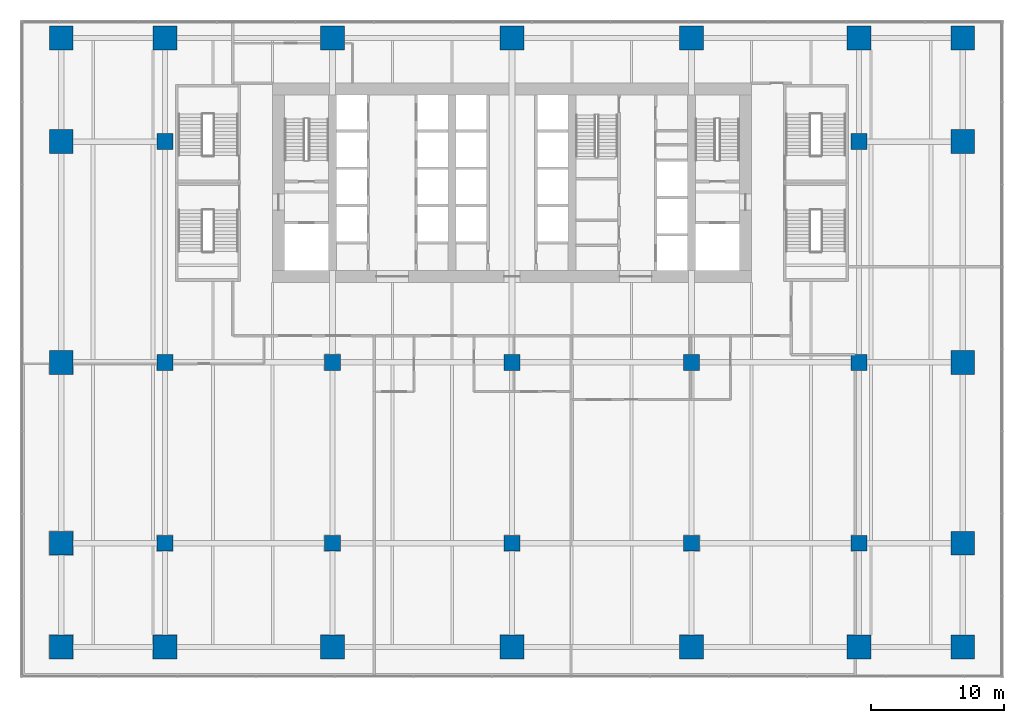
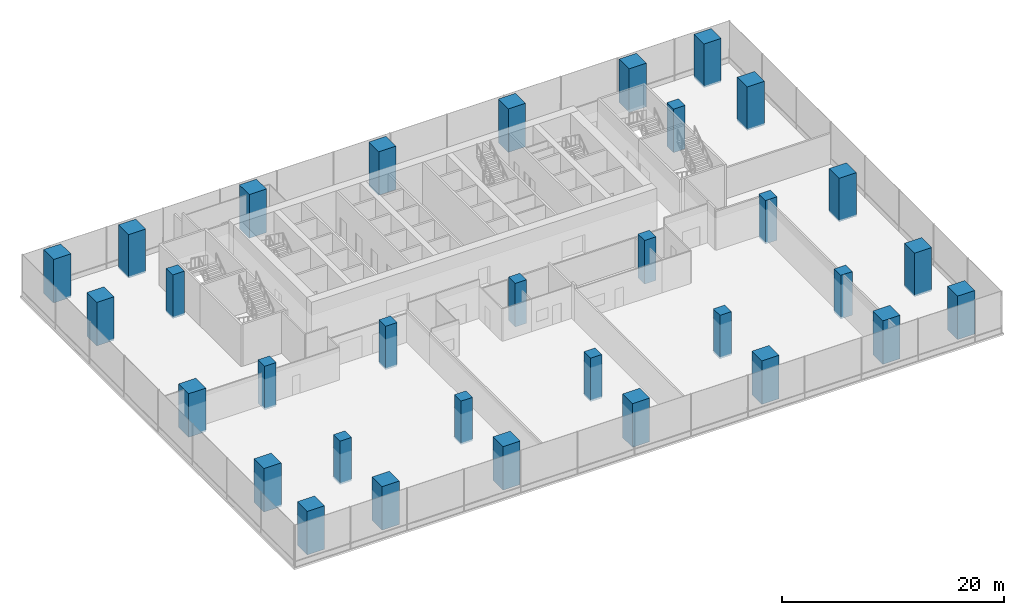
# One storey, part 1 of 28: 32 columns.
"""IFC4 building model written with IfcOpenShell, lengths in metres."""

from ifc_helpers import new_model, si_unit, direction, frame, origin, origin_2d, place, context, subcontext, project, spatial, rectangle, extrude, material, material_profile, profile_set, type_object, element, save


model = new_model("IFC4")

# Units and contexts
model_context = context("Model", 3, precision=1e-05, world=origin(), true_north=direction((0.0, 1.0)))
body_context = subcontext(model_context, "Body", "Model", "MODEL_VIEW")
ifc_project = project(units=[si_unit("LENGTHUNIT", "METRE"), si_unit("AREAUNIT", "SQUARE_METRE"), si_unit("VOLUMEUNIT", "CUBIC_METRE"), si_unit("PLANEANGLEUNIT", "RADIAN"), si_unit("MASSUNIT", "GRAM", prefix="KILO")], contexts=[model_context])

# Site, building, storey
site_placement = place(None, origin())
site = spatial("IfcSite", under=ifc_project, at=site_placement, CompositionType="ELEMENT")
building_placement = place(site_placement, origin())
building = spatial("IfcBuilding", under=site, at=building_placement, Name="Rattan Terrace Tower", CompositionType="ELEMENT")
storey_placement = place(building_placement, frame((0.0, 0.0, 17.39990234375)))
storey = spatial("IfcBuildingStorey", under=building, at=storey_placement, Name="L03", CompositionType="ELEMENT", Elevation=17.39990234375)

# Columns
ifc_material_1 = material(Name="Concrete C60/75", Category="concrete")
ifc_material_profile_1 = material_profile(ifc_material_1, rectangle(XDim=1.800048828125, YDim=1.800048828125, at=origin_2d()), Name="CFT 1800x1800")
ifc_profile_set_1 = profile_set([ifc_material_profile_1], Name="Concrete C60/75")
column_type_1 = type_object("IfcColumnType", Name="Frame exoskeleton column CFT 1800x1800", PredefinedType="COLUMN", material=ifc_profile_set_1)
for number, where, z_axis, x_axis, name in (
    (1, (-33.89990234375, -34.89990234375, -0.199951171875), (0.0, 0.0, 1.0), (1.0, 0.0, 0.0), "exo-L03-001"),
    (2, (33.89990234375, -34.89990234375, -0.199951171875), (0.0, 0.0, 1.0), (1.0, 0.0, 0.0), "exo-L03-002"),
    (3, (-33.89990234375, 10.89990234375, -0.199951171875), (0.0, 0.0, 1.0), (1.0, 0.0, 0.0), "exo-L03-003"),
    (4, (33.89990234375, 10.89990234375, -0.199951171875), (0.0, 0.0, 1.0), (1.0, 0.0, 0.0), "exo-L03-004"),
    (5, (-26.10009765625, -34.89990234375, -0.199951171875), (0.0, 0.0, 1.0), (1.0, 0.0, 0.0), "exo-L03-005"),
    (6, (-13.5, -34.89990234375, -0.199951171875), (0.0, 0.0, 1.0), (1.0, 0.0, 0.0), "exo-L03-006"),
    (7, (0.0, -34.89990234375, -0.199951171875), (0.0, 0.0, 1.0), (1.0, 0.0, 0.0), "exo-L03-007"),
    (8, (13.5, -34.89990234375, -0.199951171875), (0.0, 0.0, 1.0), (1.0, 0.0, 0.0), "exo-L03-008"),
    (9, (26.10009765625, -34.89990234375, -0.199951171875), (0.0, 0.0, 1.0), (1.0, 0.0, 0.0), "exo-L03-009"),
    (10, (-33.89990234375, -27.10009765625, -0.199951171875), (0.0, 0.0, 1.0), (0.0, 1.0, 0.0), "exo-L03-010"),
    (11, (33.89990234375, -27.10009765625, -0.199951171875), (0.0, 0.0, 1.0), (0.0, 1.0, 0.0), "exo-L03-011"),
    (12, (-33.89990234375, -13.5, -0.199951171875), (0.0, 0.0, 1.0), (0.0, 1.0, 0.0), "exo-L03-012"),
    (13, (33.89990234375, -13.5, -0.199951171875), (0.0, 0.0, 1.0), (0.0, 1.0, 0.0), "exo-L03-013"),
    (14, (-33.89990234375, 3.10009765625, -0.199951171875), (0.0, 0.0, 1.0), (0.0, 1.0, 0.0), "exo-L03-014"),
    (15, (33.89990234375, 3.10009765625, -0.199951171875), (0.0, 0.0, 1.0), (0.0, 1.0, 0.0), "exo-L03-015"),
    (16, (-26.10009765625, 10.89990234375, -0.199951171875), (0.0, 0.0, 1.0), (1.0, 0.0, 0.0), "exo-L03-016"),
    (17, (-13.5, 10.89990234375, -0.199951171875), (0.0, 0.0, 1.0), (1.0, 0.0, 0.0), "exo-L03-017"),
    (18, (0.0, 10.89990234375, -0.199951171875), (0.0, 0.0, 1.0), (1.0, 0.0, 0.0), "exo-L03-018"),
    (19, (13.5, 10.89990234375, -0.199951171875), (0.0, 0.0, 1.0), (1.0, 0.0, 0.0), "exo-L03-019"),
    (20, (26.10009765625, 10.89990234375, -0.199951171875), (0.0, 0.0, 1.0), (1.0, 0.0, 0.0), "exo-L03-020"),
):
    element("IfcColumn", number, at=place(storey_placement, frame(where, z_axis=z_axis, x_axis=x_axis)), inside=storey, type_object=column_type_1, Name=name, PredefinedType="COLUMN", context=body_context, shape_type="SweptSolid", body=[
        extrude(rectangle(XDim=1.800048828125, YDim=1.800048828125, at=origin_2d()), origin(), (0.0, 0.0, 1.0), 4.800048828125),
    ])
ifc_material_2 = material(Name="Concrete C60/75", Category="concrete")
ifc_material_profile_2 = material_profile(ifc_material_2, rectangle(XDim=1.199951171875, YDim=1.199951171875, at=origin_2d()), Name="RC 1200x1200")
ifc_profile_set_2 = profile_set([ifc_material_profile_2], Name="Concrete C60/75")
column_type_2 = type_object("IfcColumnType", Name="Frame interior column RC 1200x1200", PredefinedType="COLUMN", material=ifc_profile_set_2)
for number, where, z_axis, x_axis, name in (
    (21, (-26.10009765625, -27.10009765625, -0.199951171875), (0.0, 0.0, 1.0), (1.0, 0.0, 0.0), "col-L03-001"),
    (22, (-13.5, -27.10009765625, -0.199951171875), (0.0, 0.0, 1.0), (1.0, 0.0, 0.0), "col-L03-002"),
    (23, (0.0, -27.10009765625, -0.199951171875), (0.0, 0.0, 1.0), (1.0, 0.0, 0.0), "col-L03-003"),
    (24, (13.5, -27.10009765625, -0.199951171875), (0.0, 0.0, 1.0), (1.0, 0.0, 0.0), "col-L03-004"),
    (25, (26.10009765625, -27.10009765625, -0.199951171875), (0.0, 0.0, 1.0), (1.0, 0.0, 0.0), "col-L03-005"),
    (26, (-26.10009765625, -13.5, -0.199951171875), (0.0, 0.0, 1.0), (1.0, 0.0, 0.0), "col-L03-006"),
    (27, (-13.5, -13.5, -0.199951171875), (0.0, 0.0, 1.0), (1.0, 0.0, 0.0), "col-L03-007"),
    (28, (0.0, -13.5, -0.199951171875), (0.0, 0.0, 1.0), (1.0, 0.0, 0.0), "col-L03-008"),
    (29, (13.5, -13.5, -0.199951171875), (0.0, 0.0, 1.0), (1.0, 0.0, 0.0), "col-L03-009"),
    (30, (26.10009765625, -13.5, -0.199951171875), (0.0, 0.0, 1.0), (1.0, 0.0, 0.0), "col-L03-010"),
    (31, (-26.10009765625, 3.10009765625, -0.199951171875), (0.0, 0.0, 1.0), (1.0, 0.0, 0.0), "col-L03-011"),
    (32, (26.10009765625, 3.10009765625, -0.199951171875), (0.0, 0.0, 1.0), (1.0, 0.0, 0.0), "col-L03-012"),
):
    element("IfcColumn", number, at=place(storey_placement, frame(where, z_axis=z_axis, x_axis=x_axis)), inside=storey, type_object=column_type_2, Name=name, PredefinedType="COLUMN", context=body_context, shape_type="SweptSolid", body=[
        extrude(rectangle(XDim=1.199951171875, YDim=1.199951171875, at=origin_2d()), origin(), (0.0, 0.0, 1.0), 4.800048828125),
    ])

save(model, "model.ifc")
